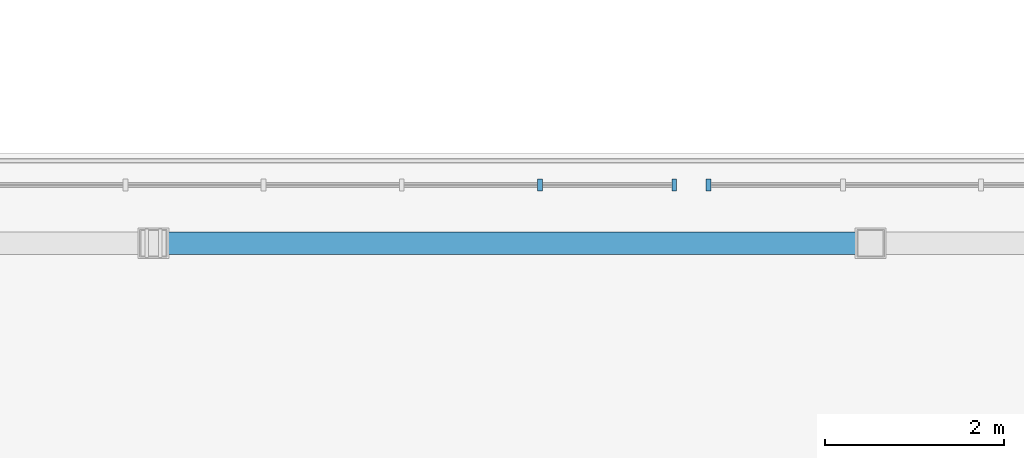
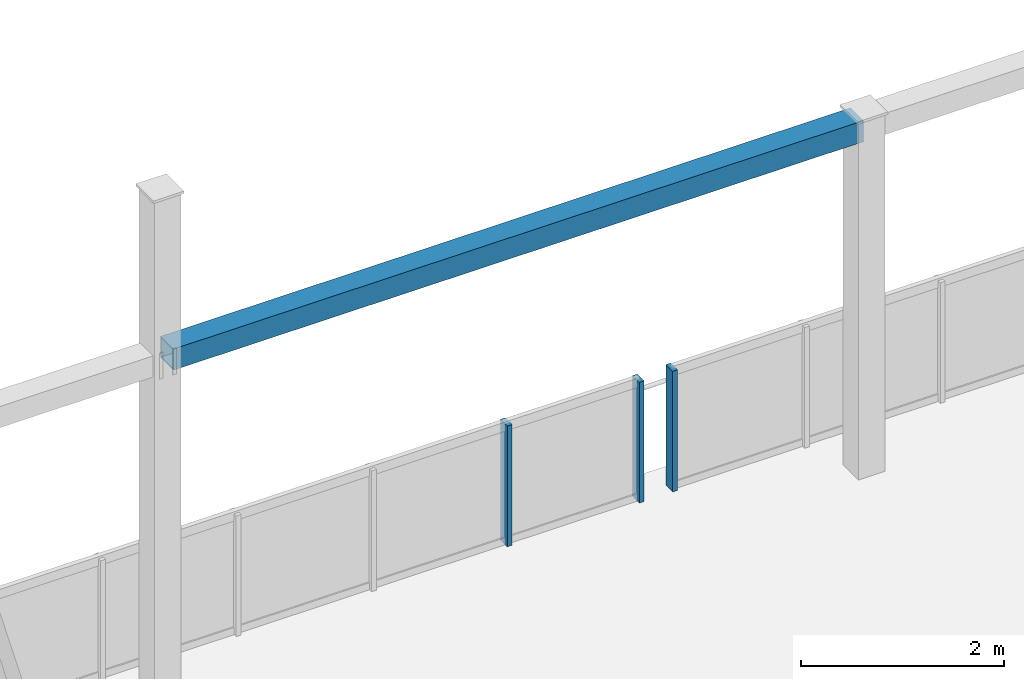
# One storey, part 27 of 83: 4 members, 2 elements without a shape of their own.
"""IFC4 building model written with IfcOpenShell, lengths in metres."""

from ifc_helpers import new_model, si_unit, direction, frame, origin, origin_2d, place, context, subcontext, project, spatial, rectangle, hollow_rectangle, extrude, material, material_profile, profile_set, type_object, element, aggregate, save


model = new_model("IFC4")

# Units and contexts
model_context = context("Model", 3, precision=1e-05, world=origin(), true_north=direction((0.0, 1.0)))
body_context = subcontext(model_context, "Body", "Model", "MODEL_VIEW")
ifc_project = project(units=[si_unit("LENGTHUNIT", "METRE"), si_unit("AREAUNIT", "SQUARE_METRE"), si_unit("VOLUMEUNIT", "CUBIC_METRE"), si_unit("PLANEANGLEUNIT", "RADIAN"), si_unit("MASSUNIT", "GRAM", prefix="KILO")], contexts=[model_context])

# Site, building, storey
site_placement = place(None, origin())
site = spatial("IfcSite", under=ifc_project, at=site_placement, CompositionType="ELEMENT")
building_placement = place(site_placement, origin())
building = spatial("IfcBuilding", under=site, at=building_placement, Name="Drelvath Fold Interchange", CompositionType="ELEMENT")
storey_placement = place(building_placement, frame((0.0, 0.0, 11.199951171875)))
storey = spatial("IfcBuildingStorey", under=building, at=storey_placement, Name="L02", CompositionType="ELEMENT", Elevation=11.199951171875)

# Member
ifc_material_1 = material(Name="Steel ASTM A500 Grade C", Category="steel")
ifc_material_profile_1 = material_profile(ifc_material_1, hollow_rectangle(XDim=0.25390625, YDim=0.25390625, WallThickness=0.01171875, at=origin_2d()), Name="HSS10X10X1/2")
ifc_profile_set_1 = profile_set([ifc_material_profile_1], Name="Steel ASTM A500 Grade C")
member_type_1 = type_object("IfcMemberType", Name="FP-CHD254", PredefinedType="CHORD", material=ifc_profile_set_1)
member_1_placement = place(storey_placement, frame((60.080078125, 67.0, 4.150146484375), z_axis=(1.0, 0.0, 0.0), x_axis=(0.0, 1.0, 0.0)))
element("IfcMember", 1, at=member_1_placement, inside=storey, type_object=member_type_1, Name="L02 Folded-plate roof truss tie chord FP-CHD254", PredefinedType="CHORD", context=body_context, shape_type="SweptSolid", body=[
    extrude(hollow_rectangle(XDim=0.25390625, YDim=0.25390625, WallThickness=0.01171875, at=origin_2d()), origin(), (0.0, 0.0, 1.0), 7.83984375),
])

# Curtain wall, members
ifc_material_2 = material(Name="Anodized Aluminium 6063-T6", Category="aluminium")
curtain_wall_type = type_object("IfcCurtainWallType", Name="CW-ATR-SCR", PredefinedType="USERDEFINED", material=ifc_material_2)
curtain_wall_1_placement = place(storey_placement, origin())
curtain_wall_1 = element("IfcCurtainWall", 2, at=curtain_wall_1_placement, inside=storey, type_object=curtain_wall_type, Name="Curtain wall CW-ATR-L02-S58", ObjectType="GLAZED SCREEN WALL", PredefinedType="USERDEFINED")
ifc_material_profile_2 = material_profile(ifc_material_2, rectangle(XDim=0.054931640625, YDim=0.135009765625, at=origin_2d()), Name="AL-M 55x135")
ifc_profile_set_2 = profile_set([ifc_material_profile_2], Name="Anodized Aluminium 6063-T6")
member_type_2 = type_object("IfcMemberType", Name="ML-135", PredefinedType="MULLION", material=ifc_profile_set_2)
member_2_placement = place(storey_placement, frame((64.31005859375, 67.64990234375, 0.0), z_axis=(0.0, 0.0, 1.0), x_axis=(1.0, 0.0, 0.0)))
member_2 = element("IfcMember", 3, at=member_2_placement, type_object=member_type_2, Name="CW-ATR-L02-S58 mullion 4", PredefinedType="MULLION", context=body_context, shape_type="SweptSolid", body=[
    extrude(rectangle(XDim=0.054931640625, YDim=0.135009765625, at=origin_2d()), origin(), (0.0, 0.0, 1.0), 1.449951171875),
])
member_3_placement = place(storey_placement, frame((65.81005859375, 67.64990234375, 0.0), z_axis=(0.0, 0.0, 1.0), x_axis=(1.0, 0.0, 0.0)))
member_3 = element("IfcMember", 4, at=member_3_placement, type_object=member_type_2, Name="CW-ATR-L02-S58 mullion 5", PredefinedType="MULLION", context=body_context, shape_type="SweptSolid", body=[
    extrude(rectangle(XDim=0.054931640625, YDim=0.135009765625, at=origin_2d()), origin(), (0.0, 0.0, 1.0), 1.449951171875),
])
aggregate(curtain_wall_1, [member_2, member_3])

# Curtain wall, member
curtain_wall_2_placement = place(storey_placement, origin())
curtain_wall_2 = element("IfcCurtainWall", 5, at=curtain_wall_2_placement, inside=storey, type_object=curtain_wall_type, Name="Curtain wall CW-ATR-L02-S66", ObjectType="GLAZED SCREEN WALL", PredefinedType="USERDEFINED")
member_4_placement = place(storey_placement, frame((66.18994140625, 67.64990234375, 0.0), z_axis=(0.0, 0.0, 1.0), x_axis=(1.0, 0.0, 0.0)))
member_4 = element("IfcMember", 6, at=member_4_placement, type_object=member_type_2, Name="CW-ATR-L02-S66 mullion 0", PredefinedType="MULLION", context=body_context, shape_type="SweptSolid", body=[
    extrude(rectangle(XDim=0.054931640625, YDim=0.135009765625, at=origin_2d()), origin(), (0.0, 0.0, 1.0), 1.449951171875),
])
aggregate(curtain_wall_2, [member_4])

save(model, "model.ifc")
